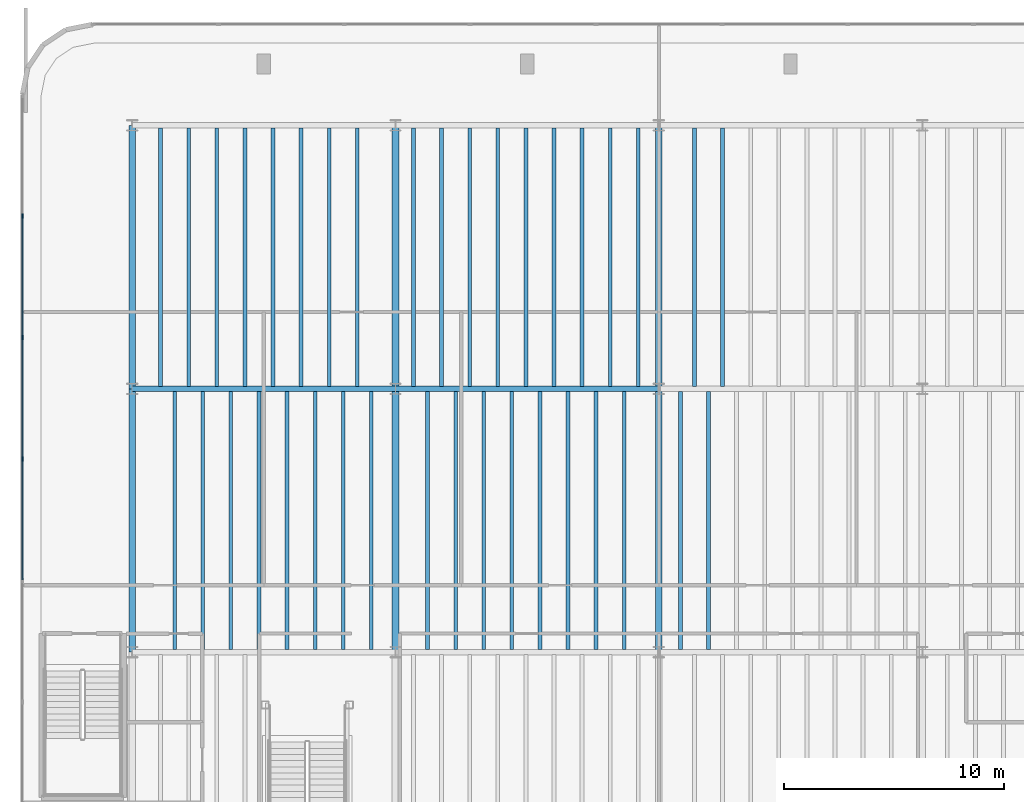
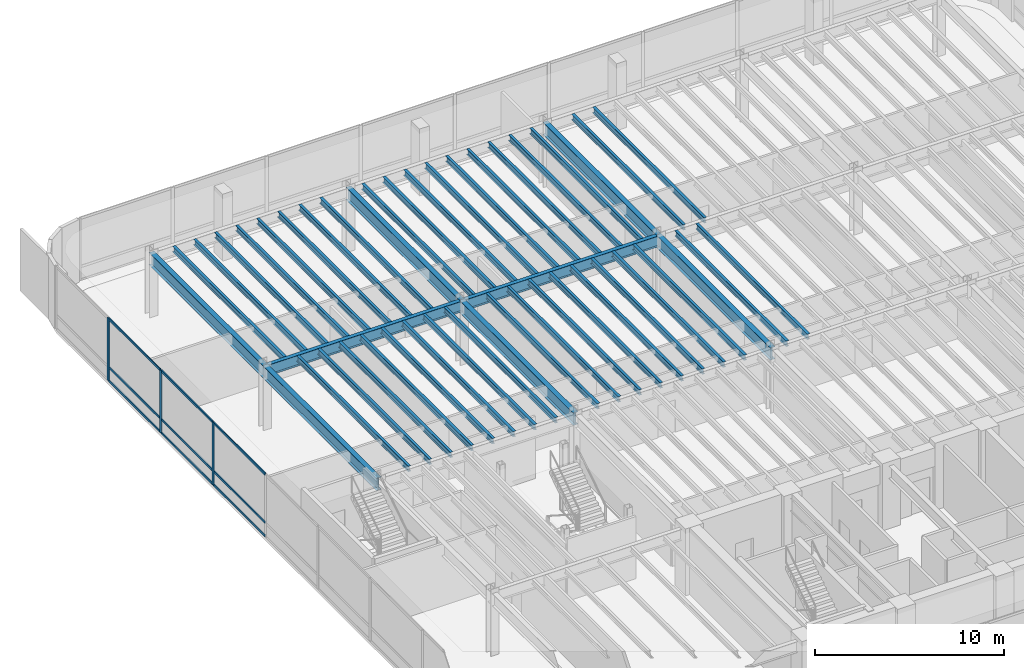
# One storey, part 7 of 18: 45 beams, 12 members, 1 element without a shape of its own.
"""IFC4 building model written with IfcOpenShell, lengths in metres."""

from ifc_helpers import new_model, si_unit, direction, frame, origin, origin_2d, place, context, subcontext, project, spatial, rectangle, i_section, extrude, source, transform, mapped, material, layer, layer_set, material_profile, profile_set, type_object, element, aggregate, save


model = new_model("IFC4")

# Units and contexts
model_context = context("Model", 3, precision=1e-05, world=origin(), true_north=direction((0.0, 1.0)))
body_context = subcontext(model_context, "Body", "Model", "MODEL_VIEW")
ifc_project = project(units=[si_unit("LENGTHUNIT", "METRE"), si_unit("AREAUNIT", "SQUARE_METRE"), si_unit("VOLUMEUNIT", "CUBIC_METRE"), si_unit("PLANEANGLEUNIT", "RADIAN"), si_unit("MASSUNIT", "GRAM", prefix="KILO")], contexts=[model_context])

# Site, building, storey
site_placement = place(None, origin())
site = spatial("IfcSite", under=ifc_project, at=site_placement, CompositionType="ELEMENT")
building_placement = place(site_placement, origin())
building = spatial("IfcBuilding", under=site, at=building_placement, Name="Brelvock Crest Care Tower", CompositionType="ELEMENT")
storey_placement = place(building_placement, frame((0.0, 0.0, 9.719970703125)))
storey = spatial("IfcBuildingStorey", under=building, at=storey_placement, Name="L02", CompositionType="ELEMENT", Elevation=9.719970703125)

# Beams
ifc_material_1 = material(Name="Steel Grade 350", Category="steel")
ifc_material_profile_1 = material_profile(ifc_material_1, i_section(OverallWidth=0.300048828125, OverallDepth=0.800048828125, WebThickness=0.013916015625, FlangeThickness=0.02197265625, at=origin_2d()), Name="800WB192")
ifc_profile_set_1 = profile_set([ifc_material_profile_1], Name="Steel Grade 350")
beam_type_1 = type_object("IfcBeamType", Name="BM-G5", PredefinedType="BEAM", material=ifc_profile_set_1)
shared_shape_1 = source(origin(), body_context, "Body", "SweptSolid", [
    extrude(i_section(OverallWidth=0.300048828125, OverallDepth=0.800048828125, WebThickness=0.013916015625, FlangeThickness=0.02197265625, at=origin_2d()), origin(), (0.0, 0.0, 1.0), 12.0),
])
for number, where, z_axis, x_axis, name in (
    (1, (12.0, 30.0, 3.64013671875), (0.0, 1.0, 0.0), (-1.0, 0.0, 0.0), "BM-PODY-L02-12-30"),
    (2, (12.0, 42.0, 3.64013671875), (0.0, 1.0, 0.0), (-1.0, 0.0, 0.0), "BM-PODY-L02-12-42"),
    (3, (24.0, 30.0, 3.64013671875), (0.0, 1.0, 0.0), (-1.0, 0.0, 0.0), "BM-PODY-L02-24-30"),
    (4, (24.0, 42.0, 3.64013671875), (0.0, 1.0, 0.0), (-1.0, 0.0, 0.0), "BM-PODY-L02-24-42"),
    (5, (36.0, 30.0, 3.64013671875), (0.0, 1.0, 0.0), (-1.0, 0.0, 0.0), "BM-PODY-L02-36-30"),
    (6, (36.0, 42.0, 3.64013671875), (0.0, 1.0, 0.0), (-1.0, 0.0, 0.0), "BM-PODY-L02-36-42"),
):
    element("IfcBeam", number, at=place(storey_placement, frame(where, z_axis=z_axis, x_axis=x_axis)), inside=storey, type_object=beam_type_1, Name=name, PredefinedType="BEAM", context=body_context, shape_type="MappedRepresentation", body=[
        mapped(shared_shape_1, transform((0.0, 0.0, 0.0), x_axis=(1.0, 0.0, 0.0), y_axis=(0.0, 1.0, 0.0), z_axis=(0.0, 0.0, 1.0), scale=1.0)),
    ])
ifc_material_profile_2 = material_profile(ifc_material_1, i_section(OverallWidth=0.172119140625, OverallDepth=0.35888671875, WebThickness=0.008056640625, FlangeThickness=0.012939453125, FilletRadius=0.011474609375, at=origin_2d()), Name="360UB56.7")
ifc_profile_set_2 = profile_set([ifc_material_profile_2], Name="Steel Grade 350")
beam_type_2 = type_object("IfcBeamType", Name="BM-J1", PredefinedType="JOIST", material=ifc_profile_set_2)
shared_shape_2 = source(origin(), body_context, "Body", "SweptSolid", [
    extrude(i_section(OverallWidth=0.172119140625, OverallDepth=0.35888671875, WebThickness=0.008056640625, FlangeThickness=0.012939453125, FilletRadius=0.011474609375, at=origin_2d()), origin(), (0.0, 0.0, 1.0), 11.77001953125),
])
for number, where, z_axis, x_axis, name in (
    (7, (13.93994140625, 30.114990234375, 3.860595703125), (0.0, 1.0, 0.0), (-1.0, 0.0, 0.0), "BM-PODJ-L02-1394-30"),
    (8, (13.300048828125, 42.114990234375, 3.860595703125), (0.0, 1.0, 0.0), (-1.0, 0.0, 0.0), "BM-PODJ-L02-1330-42"),
    (9, (15.219970703125, 30.114990234375, 3.860595703125), (0.0, 1.0, 0.0), (-1.0, 0.0, 0.0), "BM-PODJ-L02-1522-30"),
    (10, (14.580078125, 42.114990234375, 3.860595703125), (0.0, 1.0, 0.0), (-1.0, 0.0, 0.0), "BM-PODJ-L02-1458-42"),
    (11, (16.5, 30.114990234375, 3.860595703125), (0.0, 1.0, 0.0), (-1.0, 0.0, 0.0), "BM-PODJ-L02-1650-30"),
    (12, (15.860107421875, 42.114990234375, 3.860595703125), (0.0, 1.0, 0.0), (-1.0, 0.0, 0.0), "BM-PODJ-L02-1586-42"),
    (13, (17.780029296875, 30.114990234375, 3.860595703125), (0.0, 1.0, 0.0), (-1.0, 0.0, 0.0), "BM-PODJ-L02-1778-30"),
    (14, (17.139892578125, 42.114990234375, 3.860595703125), (0.0, 1.0, 0.0), (-1.0, 0.0, 0.0), "BM-PODJ-L02-1714-42"),
    (15, (19.06005859375, 30.114990234375, 3.860595703125), (0.0, 1.0, 0.0), (-1.0, 0.0, 0.0), "BM-PODJ-L02-1906-30"),
    (16, (18.419921875, 42.114990234375, 3.860595703125), (0.0, 1.0, 0.0), (-1.0, 0.0, 0.0), "BM-PODJ-L02-1842-42"),
    (17, (20.340087890625, 30.114990234375, 3.860595703125), (0.0, 1.0, 0.0), (-1.0, 0.0, 0.0), "BM-PODJ-L02-2034-30"),
    (18, (19.699951171875, 42.114990234375, 3.860595703125), (0.0, 1.0, 0.0), (-1.0, 0.0, 0.0), "BM-PODJ-L02-1970-42"),
    (19, (21.6201171875, 30.114990234375, 3.860595703125), (0.0, 1.0, 0.0), (-1.0, 0.0, 0.0), "BM-PODJ-L02-2162-30"),
    (20, (20.97998046875, 42.114990234375, 3.860595703125), (0.0, 1.0, 0.0), (-1.0, 0.0, 0.0), "BM-PODJ-L02-2098-42"),
    (21, (22.89990234375, 30.114990234375, 3.860595703125), (0.0, 1.0, 0.0), (-1.0, 0.0, 0.0), "BM-PODJ-L02-2290-30"),
    (22, (22.260009765625, 42.114990234375, 3.860595703125), (0.0, 1.0, 0.0), (-1.0, 0.0, 0.0), "BM-PODJ-L02-2226-42"),
    (23, (25.4599609375, 30.114990234375, 3.860595703125), (0.0, 1.0, 0.0), (-1.0, 0.0, 0.0), "BM-PODJ-L02-2546-30"),
    (24, (24.820068359375, 42.114990234375, 3.860595703125), (0.0, 1.0, 0.0), (-1.0, 0.0, 0.0), "BM-PODJ-L02-2482-42"),
    (25, (26.739990234375, 30.114990234375, 3.860595703125), (0.0, 1.0, 0.0), (-1.0, 0.0, 0.0), "BM-PODJ-L02-2674-30"),
    (26, (26.10009765625, 42.114990234375, 3.860595703125), (0.0, 1.0, 0.0), (-1.0, 0.0, 0.0), "BM-PODJ-L02-2610-42"),
    (27, (28.02001953125, 30.114990234375, 3.860595703125), (0.0, 1.0, 0.0), (-1.0, 0.0, 0.0), "BM-PODJ-L02-2802-30"),
    (28, (27.3798828125, 42.114990234375, 3.860595703125), (0.0, 1.0, 0.0), (-1.0, 0.0, 0.0), "BM-PODJ-L02-2738-42"),
    (29, (29.300048828125, 30.114990234375, 3.860595703125), (0.0, 1.0, 0.0), (-1.0, 0.0, 0.0), "BM-PODJ-L02-2930-30"),
    (30, (28.659912109375, 42.114990234375, 3.860595703125), (0.0, 1.0, 0.0), (-1.0, 0.0, 0.0), "BM-PODJ-L02-2866-42"),
    (31, (30.580078125, 30.114990234375, 3.860595703125), (0.0, 1.0, 0.0), (-1.0, 0.0, 0.0), "BM-PODJ-L02-3058-30"),
    (32, (29.93994140625, 42.114990234375, 3.860595703125), (0.0, 1.0, 0.0), (-1.0, 0.0, 0.0), "BM-PODJ-L02-2994-42"),
    (33, (31.860107421875, 30.114990234375, 3.860595703125), (0.0, 1.0, 0.0), (-1.0, 0.0, 0.0), "BM-PODJ-L02-3186-30"),
    (34, (31.219970703125, 42.114990234375, 3.860595703125), (0.0, 1.0, 0.0), (-1.0, 0.0, 0.0), "BM-PODJ-L02-3122-42"),
    (35, (33.139892578125, 30.114990234375, 3.860595703125), (0.0, 1.0, 0.0), (-1.0, 0.0, 0.0), "BM-PODJ-L02-3314-30"),
    (36, (32.5, 42.114990234375, 3.860595703125), (0.0, 1.0, 0.0), (-1.0, 0.0, 0.0), "BM-PODJ-L02-3250-42"),
    (37, (34.419921875, 30.114990234375, 3.860595703125), (0.0, 1.0, 0.0), (-1.0, 0.0, 0.0), "BM-PODJ-L02-3442-30"),
    (38, (33.780029296875, 42.114990234375, 3.860595703125), (0.0, 1.0, 0.0), (-1.0, 0.0, 0.0), "BM-PODJ-L02-3378-42"),
    (39, (35.06005859375, 42.114990234375, 3.860595703125), (0.0, 1.0, 0.0), (-1.0, 0.0, 0.0), "BM-PODJ-L02-3506-42"),
    (40, (36.97998046875, 30.114990234375, 3.860595703125), (0.0, 1.0, 0.0), (-1.0, 0.0, 0.0), "BM-PODJ-L02-3698-30"),
    (41, (38.260009765625, 30.114990234375, 3.860595703125), (0.0, 1.0, 0.0), (-1.0, 0.0, 0.0), "BM-PODJ-L02-3826-30"),
    (42, (37.6201171875, 42.114990234375, 3.860595703125), (0.0, 1.0, 0.0), (-1.0, 0.0, 0.0), "BM-PODJ-L02-3762-42"),
    (43, (38.89990234375, 42.114990234375, 3.860595703125), (0.0, 1.0, 0.0), (-1.0, 0.0, 0.0), "BM-PODJ-L02-3890-42"),
):
    element("IfcBeam", number, at=place(storey_placement, frame(where, z_axis=z_axis, x_axis=x_axis)), inside=storey, type_object=beam_type_2, Name=name, PredefinedType="JOIST", context=body_context, shape_type="MappedRepresentation", body=[
        mapped(shared_shape_2, transform((0.0, 0.0, 0.0), x_axis=(1.0, 0.0, 0.0), y_axis=(0.0, 1.0, 0.0), z_axis=(0.0, 0.0, 1.0), scale=1.0)),
    ])
ifc_material_profile_3 = material_profile(ifc_material_1, i_section(OverallWidth=0.25, OverallDepth=0.699951171875, WebThickness=0.011962890625, FlangeThickness=0.02001953125, at=origin_2d()), Name="700WB150")
ifc_profile_set_3 = profile_set([ifc_material_profile_3], Name="Steel Grade 350")
beam_type_3 = type_object("IfcBeamType", Name="BM-G4", PredefinedType="BEAM", material=ifc_profile_set_3)
shared_shape_3 = source(origin(), body_context, "Body", "SweptSolid", [
    extrude(i_section(OverallWidth=0.25, OverallDepth=0.699951171875, WebThickness=0.011962890625, FlangeThickness=0.02001953125, at=origin_2d()), origin(), (0.0, 0.0, 1.0), 12.0),
])
for number, where, z_axis, x_axis, name in (
    (44, (12.0, 42.0, 3.68994140625), (1.0, 0.0, 0.0), (0.0, 1.0, 0.0), "BM-PODX-L02-42-12"),
    (45, (24.0, 42.0, 3.68994140625), (1.0, 0.0, 0.0), (0.0, 1.0, 0.0), "BM-PODX-L02-42-24"),
):
    element("IfcBeam", number, at=place(storey_placement, frame(where, z_axis=z_axis, x_axis=x_axis)), inside=storey, type_object=beam_type_3, Name=name, PredefinedType="BEAM", context=body_context, shape_type="MappedRepresentation", body=[
        mapped(shared_shape_3, transform((0.0, 0.0, 0.0), x_axis=(1.0, 0.0, 0.0), y_axis=(0.0, 1.0, 0.0), z_axis=(0.0, 0.0, 1.0), scale=1.0)),
    ])

# Curtain wall, members
ifc_material_2 = material(Name="Dark Glass Double Glazed Low-E", Category="glass")
ifc_layer = layer(ifc_material_2, 0.179931640625, Name="CWS-1")
ifc_layer_set = layer_set([ifc_layer], Name="Dark Glass Double Glazed Low-E")
curtain_wall_type = type_object("IfcCurtainWallType", Name="CWS-1", PredefinedType="NOTDEFINED", material=ifc_layer_set)
curtain_wall_placement = place(storey_placement, origin())
curtain_wall = element("IfcCurtainWall", 46, at=curtain_wall_placement, inside=storey, type_object=curtain_wall_type, Name="L02 Curtain Wall E04", PredefinedType="NOTDEFINED")
ifc_material_3 = material(Name="Aluminium 6063-T6", Category="aluminium")
ifc_material_profile_4 = material_profile(ifc_material_3, rectangle(XDim=0.06494140625, YDim=0.199951171875, at=origin_2d()), Name="ALU65x200")
ifc_profile_set_4 = profile_set([ifc_material_profile_4], Name="Aluminium 6063-T6")
member_type_1 = type_object("IfcMemberType", Name="CWM-1", PredefinedType="MULLION", material=ifc_profile_set_4)
shared_shape_4 = source(origin(), body_context, "Body", "SweptSolid", [
    extrude(rectangle(XDim=0.06494140625, YDim=0.199951171875, at=origin_2d()), origin(), (0.0, 0.0, 1.0), 4.0400390625),
])
member_1_placement = place(storey_placement, frame((7.0, 38.800048828125, 0.0), z_axis=(0.0, 0.0, 1.0), x_axis=(-1.0, 0.0, 0.0)))
member_1 = element("IfcMember", 47, at=member_1_placement, type_object=member_type_1, Name="CW-1 mullion 7", PredefinedType="MULLION", context=body_context, shape_type="MappedRepresentation", body=[
    mapped(shared_shape_4, transform((0.0, 0.0, 0.0), x_axis=(1.0, 0.0, 0.0), y_axis=(0.0, 1.0, 0.0), z_axis=(0.0, 0.0, 1.0), scale=1.0)),
])
member_2_placement = place(storey_placement, frame((7.0, 44.333251953125, 0.0), z_axis=(0.0, 0.0, 1.0), x_axis=(-1.0, 0.0, 0.0)))
member_2 = element("IfcMember", 48, at=member_2_placement, type_object=member_type_1, Name="CW-1 mullion 8", PredefinedType="MULLION", context=body_context, shape_type="MappedRepresentation", body=[
    mapped(shared_shape_4, transform((0.0, 0.0, 0.0), x_axis=(1.0, 0.0, 0.0), y_axis=(0.0, 1.0, 0.0), z_axis=(0.0, 0.0, 1.0), scale=1.0)),
])
member_3_placement = place(storey_placement, frame((7.0, 49.86669921875, 0.0), z_axis=(0.0, 0.0, 1.0), x_axis=(-1.0, 0.0, 0.0)))
member_3 = element("IfcMember", 49, at=member_3_placement, type_object=member_type_1, Name="CW-1 mullion 9", PredefinedType="MULLION", context=body_context, shape_type="MappedRepresentation", body=[
    mapped(shared_shape_4, transform((0.0, 0.0, 0.0), x_axis=(1.0, 0.0, 0.0), y_axis=(0.0, 1.0, 0.0), z_axis=(0.0, 0.0, 1.0), scale=1.0)),
])
ifc_material_profile_5 = material_profile(ifc_material_3, rectangle(XDim=0.06494140625, YDim=0.14990234375, at=origin_2d()), Name="ALU65x150")
ifc_profile_set_5 = profile_set([ifc_material_profile_5], Name="Aluminium 6063-T6")
member_type_2 = type_object("IfcMemberType", Name="CWT-1", PredefinedType="USERDEFINED", material=ifc_profile_set_5)
shared_shape_5 = source(origin(), body_context, "Body", "SweptSolid", [
    extrude(rectangle(XDim=0.06494140625, YDim=0.14990234375, at=origin_2d()), origin(), (0.0, 0.0, 1.0), 5.468505859375),
])
member_4_placement = place(storey_placement, frame((7.0, 33.299072265625, 0.032470703125), z_axis=(0.0, 1.0, 0.0), x_axis=(-1.0, 0.0, 0.0)))
member_4 = element("IfcMember", 50, at=member_4_placement, type_object=member_type_2, Name="CW-1 transom 6.1", ObjectType="TRANSOM", PredefinedType="USERDEFINED", context=body_context, shape_type="MappedRepresentation", body=[
    mapped(shared_shape_5, transform((0.0, 0.0, 0.0), x_axis=(1.0, 0.0, 0.0), y_axis=(0.0, 1.0, 0.0), z_axis=(0.0, 0.0, 1.0), scale=1.0)),
])
member_5_placement = place(storey_placement, frame((7.0, 33.299072265625, 0.900146484375), z_axis=(0.0, 1.0, 0.0), x_axis=(-1.0, 0.0, 0.0)))
member_5 = element("IfcMember", 51, at=member_5_placement, type_object=member_type_2, Name="CW-1 transom 6.2", ObjectType="TRANSOM", PredefinedType="USERDEFINED", context=body_context, shape_type="MappedRepresentation", body=[
    mapped(shared_shape_5, transform((0.0, 0.0, 0.0), x_axis=(1.0, 0.0, 0.0), y_axis=(0.0, 1.0, 0.0), z_axis=(0.0, 0.0, 1.0), scale=1.0)),
])
member_6_placement = place(storey_placement, frame((7.0, 33.299072265625, 4.007568359375), z_axis=(0.0, 1.0, 0.0), x_axis=(-1.0, 0.0, 0.0)))
member_6 = element("IfcMember", 52, at=member_6_placement, type_object=member_type_2, Name="CW-1 transom 6.3", ObjectType="TRANSOM", PredefinedType="USERDEFINED", context=body_context, shape_type="MappedRepresentation", body=[
    mapped(shared_shape_5, transform((0.0, 0.0, 0.0), x_axis=(1.0, 0.0, 0.0), y_axis=(0.0, 1.0, 0.0), z_axis=(0.0, 0.0, 1.0), scale=1.0)),
])
member_7_placement = place(storey_placement, frame((7.0, 44.36572265625, 0.032470703125), z_axis=(0.0, 1.0, 0.0), x_axis=(-1.0, 0.0, 0.0)))
member_7 = element("IfcMember", 53, at=member_7_placement, type_object=member_type_2, Name="CW-1 transom 8.1", ObjectType="TRANSOM", PredefinedType="USERDEFINED", context=body_context, shape_type="MappedRepresentation", body=[
    mapped(shared_shape_5, transform((0.0, 0.0, 0.0), x_axis=(1.0, 0.0, 0.0), y_axis=(0.0, 1.0, 0.0), z_axis=(0.0, 0.0, 1.0), scale=1.0)),
])
member_8_placement = place(storey_placement, frame((7.0, 44.36572265625, 0.900146484375), z_axis=(0.0, 1.0, 0.0), x_axis=(-1.0, 0.0, 0.0)))
member_8 = element("IfcMember", 54, at=member_8_placement, type_object=member_type_2, Name="CW-1 transom 8.2", ObjectType="TRANSOM", PredefinedType="USERDEFINED", context=body_context, shape_type="MappedRepresentation", body=[
    mapped(shared_shape_5, transform((0.0, 0.0, 0.0), x_axis=(1.0, 0.0, 0.0), y_axis=(0.0, 1.0, 0.0), z_axis=(0.0, 0.0, 1.0), scale=1.0)),
])
member_9_placement = place(storey_placement, frame((7.0, 44.36572265625, 4.007568359375), z_axis=(0.0, 1.0, 0.0), x_axis=(-1.0, 0.0, 0.0)))
member_9 = element("IfcMember", 55, at=member_9_placement, type_object=member_type_2, Name="CW-1 transom 8.3", ObjectType="TRANSOM", PredefinedType="USERDEFINED", context=body_context, shape_type="MappedRepresentation", body=[
    mapped(shared_shape_5, transform((0.0, 0.0, 0.0), x_axis=(1.0, 0.0, 0.0), y_axis=(0.0, 1.0, 0.0), z_axis=(0.0, 0.0, 1.0), scale=1.0)),
])
shared_shape_6 = source(origin(), body_context, "Body", "SweptSolid", [
    extrude(rectangle(XDim=0.06494140625, YDim=0.14990234375, at=origin_2d()), origin(), (0.0, 0.0, 1.0), 5.46826171875),
])
member_10_placement = place(storey_placement, frame((7.0, 38.83251953125, 0.032470703125), z_axis=(0.0, 1.0, 0.0), x_axis=(-1.0, 0.0, 0.0)))
member_10 = element("IfcMember", 56, at=member_10_placement, type_object=member_type_2, Name="CW-1 transom 7.1", ObjectType="TRANSOM", PredefinedType="USERDEFINED", context=body_context, shape_type="MappedRepresentation", body=[
    mapped(shared_shape_6, transform((0.0, 0.0, 0.0), x_axis=(1.0, 0.0, 0.0), y_axis=(0.0, 1.0, 0.0), z_axis=(0.0, 0.0, 1.0), scale=1.0)),
])
member_11_placement = place(storey_placement, frame((7.0, 38.83251953125, 0.900146484375), z_axis=(0.0, 1.0, 0.0), x_axis=(-1.0, 0.0, 0.0)))
member_11 = element("IfcMember", 57, at=member_11_placement, type_object=member_type_2, Name="CW-1 transom 7.2", ObjectType="TRANSOM", PredefinedType="USERDEFINED", context=body_context, shape_type="MappedRepresentation", body=[
    mapped(shared_shape_6, transform((0.0, 0.0, 0.0), x_axis=(1.0, 0.0, 0.0), y_axis=(0.0, 1.0, 0.0), z_axis=(0.0, 0.0, 1.0), scale=1.0)),
])
member_12_placement = place(storey_placement, frame((7.0, 38.83251953125, 4.007568359375), z_axis=(0.0, 1.0, 0.0), x_axis=(-1.0, 0.0, 0.0)))
member_12 = element("IfcMember", 58, at=member_12_placement, type_object=member_type_2, Name="CW-1 transom 7.3", ObjectType="TRANSOM", PredefinedType="USERDEFINED", context=body_context, shape_type="MappedRepresentation", body=[
    mapped(shared_shape_6, transform((0.0, 0.0, 0.0), x_axis=(1.0, 0.0, 0.0), y_axis=(0.0, 1.0, 0.0), z_axis=(0.0, 0.0, 1.0), scale=1.0)),
])
aggregate(curtain_wall, [member_1, member_2, member_3, member_4, member_5, member_6, member_10, member_11, member_12, member_7, member_8, member_9])

save(model, "model.ifc")
